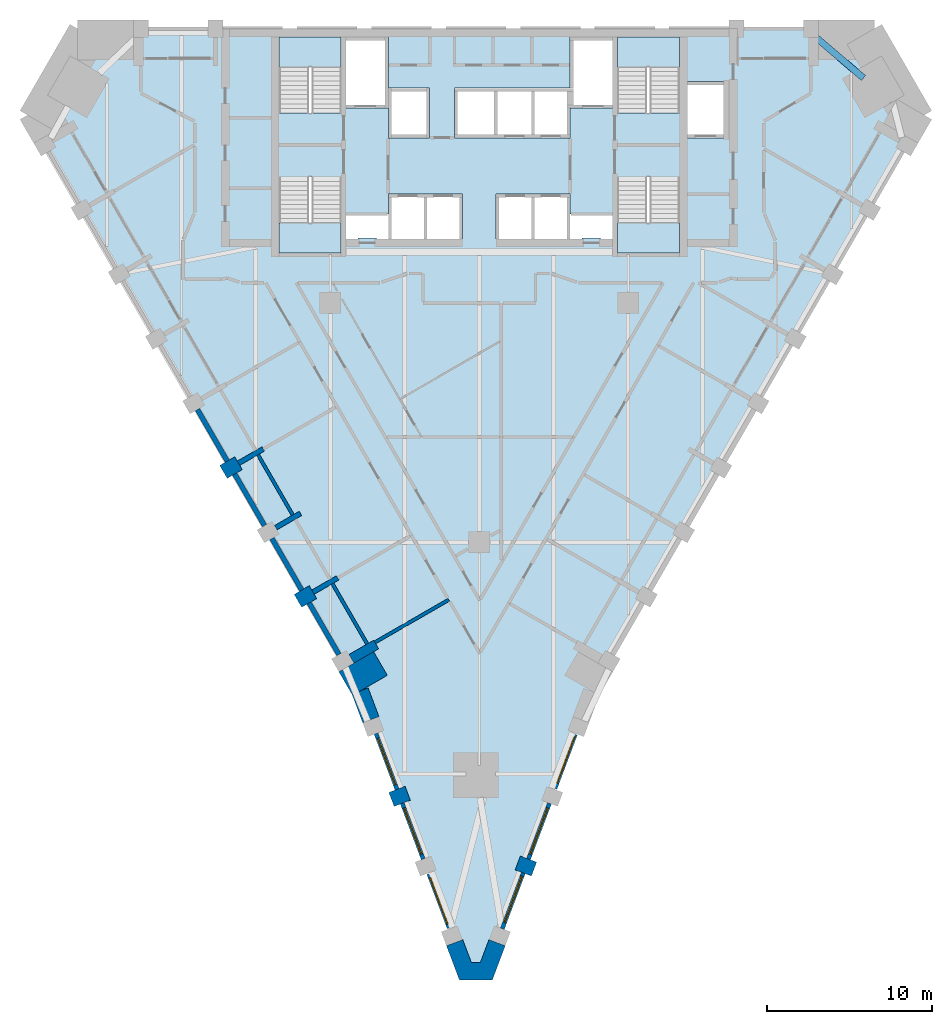
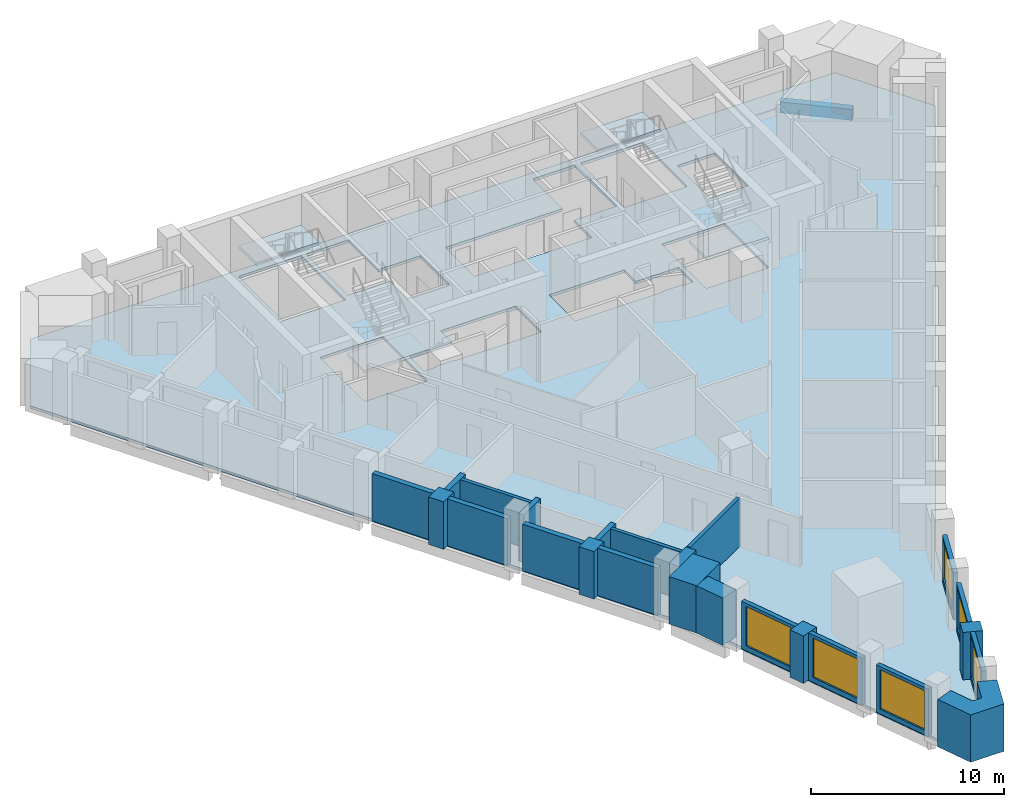
# One storey, part 2 of 10: 24 walls, 6 windows, 5 slabs, 1 beam, 6 openings, 4 elements without a shape of their own.
"""IFC4 building model written with IfcOpenShell, lengths in metres."""

from ifc_helpers import new_model, si_unit, direction, frame, frame_2d, origin, origin_2d, place, context, subcontext, project, spatial, polyline, rectangle, outline, extrude, material, layer, layer_set, material_profile, profile_set, type_object, element, fill, aggregate, save


model = new_model("IFC4")

# Units and contexts
model_context = context("Model", 3, precision=1e-05, world=origin(), true_north=direction((0.0, 1.0)))
body_context = subcontext(model_context, "Body", "Model", "MODEL_VIEW")
ifc_project = project(units=[si_unit("LENGTHUNIT", "METRE"), si_unit("AREAUNIT", "SQUARE_METRE"), si_unit("VOLUMEUNIT", "CUBIC_METRE"), si_unit("PLANEANGLEUNIT", "RADIAN"), si_unit("MASSUNIT", "GRAM", prefix="KILO")], contexts=[model_context])

# Site, building, storey
site_placement = place(None, origin())
site = spatial("IfcSite", under=ifc_project, at=site_placement, CompositionType="ELEMENT")
building_placement = place(site_placement, origin())
building = spatial("IfcBuilding", under=site, at=building_placement, Name="Calabash Gate Tower", CompositionType="ELEMENT")
storey_placement = place(building_placement, frame((0.0, 0.0, 148.5)))
storey = spatial("IfcBuildingStorey", under=building, at=storey_placement, Name="L34", CompositionType="ELEMENT", Elevation=148.5)

# Beam
ifc_material_1 = material(Name="Concrete C50/60", Category="concrete")
ifc_material_profile = material_profile(ifc_material_1, rectangle(XDim=0.39990234375, YDim=0.699951171875, at=origin_2d()))
ifc_profile_set = profile_set([ifc_material_profile], Name="Concrete C50/60")
beam_type = type_object("IfcBeamType", Name="Edge beam RC 400x700 Concrete C50/60", PredefinedType="BEAM", material=ifc_profile_set)
beam_placement = place(storey_placement, frame((23.22705078125, 16.070068359375, -0.52001953125), z_axis=(-0.760267652888, 0.649609956799, 0.0), x_axis=(-0.649609956799, -0.760267652888, 0.0)))
element("IfcBeam", 1, at=beam_placement, inside=storey, type_object=beam_type, Name="Edge beam L34 16", PredefinedType="BEAM", context=body_context, shape_type="SweptSolid", body=[
    extrude(rectangle(XDim=0.39990234375, YDim=0.699951171875, at=origin_2d()), origin(), (0.0, 0.0, 1.0), 3.814697265625),
])

# Slab
ifc_material_2 = material(Name="Concrete C40/50", Category="concrete")
ifc_layer_1 = layer(ifc_material_2, 0.169921875)
ifc_layer_set_1 = layer_set([ifc_layer_1], Name="Composite floor slab 170 Concrete C40/50")
slab_type_1 = type_object("IfcSlabType", Name="Composite floor slab 170 Concrete C40/50", PredefinedType="FLOOR", material=ifc_layer_set_1)
slab_1_placement = place(storey_placement, frame((0.0, 0.0, -0.169921875)))
element("IfcSlab", 2, at=slab_1_placement, inside=storey, type_object=slab_type_1, Name="Floor slab L34", PredefinedType="FLOOR", context=body_context, shape_type="SweptSolid", body=[
    extrude(outline(polyline([(-24.28955078125, 19.052490234375), (23.880126953125, 19.052490234375), (26.895751953125, 13.8291015625), (6.795166015625, -20.98583984375), (0.428466796875, -37.92529296875), (-0.837890625, -37.92529296875), (-7.204833984375, -20.98583984375), (-27.30517578125, 13.8291015625), (-24.28955078125, 19.052490234375)]), holes=[polyline([(-3.25, 9.052490234375), (-5.5, 9.052490234375), (-5.5, 7.8525390625), (-8.050048828125, 7.8525390625), (-8.050048828125, 6.3525390625), (-7.324951171875, 6.3525390625), (-7.324951171875, 6.402587890625), (-6.22509765625, 6.402587890625), (-6.22509765625, 6.3525390625), (-5.5, 6.3525390625), (-3.25, 6.3525390625), (-1.0, 6.3525390625), (-1.0, 9.052490234375), (-3.25, 9.052490234375)]), polyline([(5.5, 6.3525390625), (6.22509765625, 6.3525390625), (6.22509765625, 6.402587890625), (7.324951171875, 6.402587890625), (7.324951171875, 6.3525390625), (8.050048828125, 6.3525390625), (8.050048828125, 7.8525390625), (5.5, 7.8525390625), (5.5, 9.052490234375), (3.25, 9.052490234375), (1.0, 9.052490234375), (1.0, 6.3525390625), (3.25, 6.3525390625), (5.5, 6.3525390625)]), polyline([(-5.5, 12.45263671875), (-3.0, 12.45263671875), (-3.0, 15.45263671875), (-5.5, 15.45263671875), (-5.5, 18.552490234375), (-8.050048828125, 18.552490234375), (-8.050048828125, 14.252685546875), (-5.5, 14.252685546875), (-5.5, 12.45263671875)]), polyline([(-1.5, 15.45263671875), (-1.5, 12.45263671875), (1.0, 12.45263671875), (3.25, 12.45263671875), (5.5, 12.45263671875), (5.5, 14.252685546875), (8.050048828125, 14.252685546875), (8.050048828125, 18.552490234375), (5.5, 18.552490234375), (5.5, 15.45263671875), (3.25, 15.45263671875), (1.0, 15.45263671875), (-1.5, 15.45263671875)]), polyline([(14.85009765625, 15.8525390625), (12.60009765625, 15.8525390625), (12.60009765625, 12.45263671875), (14.85009765625, 12.45263671875), (14.85009765625, 15.8525390625)]), polyline([(-8.35009765625, 18.552490234375), (-12.10009765625, 18.552490234375), (-12.10009765625, 13.95263671875), (-8.35009765625, 13.95263671875), (-8.35009765625, 18.552490234375)]), polyline([(-12.10009765625, 10.1025390625), (-12.10009765625, 5.502685546875), (-8.35009765625, 5.502685546875), (-8.35009765625, 10.1025390625), (-12.10009765625, 10.1025390625)]), polyline([(8.35009765625, 13.95263671875), (12.10009765625, 13.95263671875), (12.10009765625, 18.552490234375), (8.35009765625, 18.552490234375), (8.35009765625, 13.95263671875)]), polyline([(12.10009765625, 5.502685546875), (12.10009765625, 10.1025390625), (8.35009765625, 10.1025390625), (8.35009765625, 5.502685546875), (12.10009765625, 5.502685546875)])]), origin(), (0.0, 0.0, 1.0), 0.169921875),
])

# Stair, slab
ifc_material_3 = material(Name="Concrete C40/50", Category="concrete")
stair_type = type_object("IfcStairType", Name="Exit stair 22 risers of 177.3 mm", PredefinedType="HALF_TURN_STAIR", material=ifc_material_3)
stair_1_placement = place(storey_placement, origin())
stair_1 = element("IfcStair", 3, at=stair_1_placement, inside=storey, type_object=stair_type, Name="L34 Exit stair ST1", PredefinedType="HALF_TURN_STAIR")
ifc_material_4 = material(Name="Concrete C40/50", Category="concrete")
ifc_layer_2 = layer(ifc_material_4, 0.199951171875)
ifc_layer_set_2 = layer_set([ifc_layer_2], Name="Stair landing SL200")
slab_type_2 = type_object("IfcSlabType", Name="Stair landing SL200", PredefinedType="LANDING", material=ifc_layer_set_2)
slab_2_placement = place(storey_placement, frame((0.0, 0.0, 1.75)))
slab_2 = element("IfcSlab", 4, at=slab_2_placement, type_object=slab_type_2, Name="ST1 landing 1", PredefinedType="LANDING", context=body_context, shape_type="SweptSolid", body=[
    extrude(outline(polyline([(-8.35009765625, 16.74267578125), (-8.35009765625, 18.552490234375), (-12.10009765625, 18.552490234375), (-12.10009765625, 16.74267578125), (-8.35009765625, 16.74267578125)])), origin(), (0.0, 0.0, 1.0), 0.199951171875),
])
aggregate(stair_1, [slab_2])

stair_2_placement = place(storey_placement, origin())
stair_2 = element("IfcStair", 5, at=stair_2_placement, inside=storey, type_object=stair_type, Name="L34 Exit stair ST2", PredefinedType="HALF_TURN_STAIR")
slab_3_placement = place(storey_placement, frame((0.0, 0.0, 1.75)))
slab_3 = element("IfcSlab", 6, at=slab_3_placement, type_object=slab_type_2, Name="ST2 landing 1", PredefinedType="LANDING", context=body_context, shape_type="SweptSolid", body=[
    extrude(outline(polyline([(-12.10009765625, 7.3125), (-12.10009765625, 5.502685546875), (-8.35009765625, 5.502685546875), (-8.35009765625, 7.3125), (-12.10009765625, 7.3125)])), origin(), (0.0, 0.0, 1.0), 0.199951171875),
])
aggregate(stair_2, [slab_3])

stair_3_placement = place(storey_placement, origin())
stair_3 = element("IfcStair", 7, at=stair_3_placement, inside=storey, type_object=stair_type, Name="L34 Exit stair ST3", PredefinedType="HALF_TURN_STAIR")
slab_4_placement = place(storey_placement, frame((0.0, 0.0, 1.75)))
slab_4 = element("IfcSlab", 8, at=slab_4_placement, type_object=slab_type_2, Name="ST3 landing 1", PredefinedType="LANDING", context=body_context, shape_type="SweptSolid", body=[
    extrude(outline(polyline([(12.10009765625, 16.74267578125), (12.10009765625, 18.552490234375), (8.35009765625, 18.552490234375), (8.35009765625, 16.74267578125), (12.10009765625, 16.74267578125)])), origin(), (0.0, 0.0, 1.0), 0.199951171875),
])
aggregate(stair_3, [slab_4])

stair_4_placement = place(storey_placement, origin())
stair_4 = element("IfcStair", 9, at=stair_4_placement, inside=storey, type_object=stair_type, Name="L34 Exit stair ST4", PredefinedType="HALF_TURN_STAIR")
slab_5_placement = place(storey_placement, frame((0.0, 0.0, 1.75)))
slab_5 = element("IfcSlab", 10, at=slab_5_placement, type_object=slab_type_2, Name="ST4 landing 1", PredefinedType="LANDING", context=body_context, shape_type="SweptSolid", body=[
    extrude(outline(polyline([(8.35009765625, 7.3125), (8.35009765625, 5.502685546875), (12.10009765625, 5.502685546875), (12.10009765625, 7.3125), (8.35009765625, 7.3125)])), origin(), (0.0, 0.0, 1.0), 0.199951171875),
])
aggregate(stair_4, [slab_5])

# Walls
ifc_material_5 = material(Name="Terracotta brick masonry, exposed face", Category="masonry")
ifc_layer_3 = layer(ifc_material_5, 2.425048828125)
ifc_layer_set_3 = layer_set([ifc_layer_3], Name="Brick corner mass wall 2425")
wall_type_1 = type_object("IfcWallType", Name="Brick corner mass wall 2425", PredefinedType="SOLIDWALL", material=ifc_layer_set_3)
wall_1_placement = place(storey_placement, origin())
element("IfcWall", 11, at=wall_1_placement, inside=storey, type_object=wall_type_1, Name="Brick corner pier S09 1", PredefinedType="SOLIDWALL", context=body_context, shape_type="SweptSolid", body=[
    extrude(outline(polyline([(-5.559326171875, -20.035888671875), (-6.384521484375, -18.6064453125), (-7.573974609375, -19.293212890625), (-7.5732421875, -19.294189453125), (-8.482666015625, -19.819091796875), (-8.483154296875, -19.818115234375), (-8.484619140625, -19.819091796875), (-7.659423828125, -21.248291015625), (-5.559326171875, -20.035888671875)])), origin(), (0.0, 0.0, 1.0), 3.0),
])
ifc_material_6 = material(Name="Terracotta brick masonry, exposed face", Category="masonry")
ifc_layer_4 = layer(ifc_material_6, 1.050048828125)
ifc_layer_set_4 = layer_set([ifc_layer_4], Name="Brick end wall 1050")
wall_type_2 = type_object("IfcWallType", Name="Brick end wall 1050", PredefinedType="SOLIDWALL", material=ifc_layer_set_4)
for number, where, z_axis, x_axis, name in (
    (12, (-15.459716796875, -7.738037109375, 0.0), (0.0, 0.0, 1.0), (0.865988129768, 0.500064554934, 0.0), "Brick pier S09 SW0.5"),
    (13, (-10.05029296875, -15.00732421875, 0.0), (0.0, 0.0, 1.0), (-0.866088799389, -0.499890179513, 0.0), "Brick pier S09 SW0.7"),
    (14, (-4.321533203125, -27.164794921875, 0.0), (0.0, 0.0, 1.0), (-0.936080509118, -0.351785844584, 0.0), "Brick pier S09 wedge1.1"),
    (15, (3.311767578125, -31.74658203125, 0.0), (0.0, 0.0, 1.0), (-0.936003928089, 0.351989554676, 0.0), "Brick pier S09 wedge3.1"),
):
    element("IfcWall", number, at=place(storey_placement, frame(where, z_axis=z_axis, x_axis=x_axis)), inside=storey, type_object=wall_type_2, Name=name, PredefinedType="SOLIDWALL", context=body_context, shape_type="SweptSolid", body=[
        extrude(rectangle(XDim=1.050048828125, YDim=0.89990234375, at=frame_2d((0.52490234375, 0.0))), origin(), (0.0, 0.0, 1.0), 3.0),
    ])
wall_2_placement = place(storey_placement, origin())
element("IfcWall", 16, at=wall_2_placement, inside=storey, type_object=wall_type_2, Name="Brick end wall S09 1", PredefinedType="SOLIDWALL", context=body_context, shape_type="SweptSolid", body=[
    extrude(outline(polyline([(-6.06298828125, -22.53125), (-6.71337890625, -20.80126953125), (-7.204833984375, -20.98583984375), (-7.659423828125, -21.248291015625), (-7.680908203125, -21.2109375), (-7.0458984375, -22.900634765625), (-7.045654296875, -22.900634765625), (-7.045654296875, -22.900390625), (-6.06298828125, -22.53125)])), origin(), (0.0, 0.0, 1.0), 3.0),
])
wall_3_placement = place(storey_placement, origin())
element("IfcWall", 17, at=wall_3_placement, inside=storey, type_object=wall_type_2, Name="Brick end wall S09 2", PredefinedType="SOLIDWALL", context=body_context, shape_type="SweptSolid", body=[
    extrude(outline(polyline([(-0.474365234375, -37.400390625), (-0.996826171875, -36.010498046875), (-1.979736328125, -36.380126953125), (-1.20166015625, -38.450439453125), (0.7919921875, -38.450439453125), (1.5703125, -36.380126953125), (0.58740234375, -36.010498046875), (0.06494140625, -37.400390625), (-0.474365234375, -37.400390625)])), origin(), (0.0, 0.0, 1.0), 3.0),
])
ifc_material_7 = material(Name="Terracotta brick masonry, exposed face", Category="masonry")
ifc_layer_5 = layer(ifc_material_7, 0.300048828125)
ifc_layer_set_5 = layer_set([ifc_layer_5], Name="Brick infill panel wall 300")
wall_type_3 = type_object("IfcWallType", Name="Brick infill panel wall 300", PredefinedType="SOLIDWALL", material=ifc_layer_set_5)
wall_4_placement = place(storey_placement, frame((-15.22998046875, -7.085693359375, 0.0), z_axis=(0.0, 0.0, 1.0), x_axis=(-0.499998428639, 0.866026311008, 0.0)))
element("IfcWall", 18, at=wall_4_placement, inside=storey, type_object=wall_type_3, Name="Brick panel S09 SW0.5", PredefinedType="SOLIDWALL", context=body_context, shape_type="SweptSolid", body=[
    extrude(rectangle(XDim=3.59912109375, YDim=0.300048828125, at=frame_2d((1.799560546875, 0.0))), origin(), (0.0, 0.0, 1.0), 3.0),
])
wall_5_placement = place(storey_placement, frame((-14.780029296875, -7.865234375, 0.0), z_axis=(0.0, 0.0, 1.0), x_axis=(0.500012057535, -0.866018442252, 0.0)))
element("IfcWall", 19, at=wall_5_placement, inside=storey, type_object=wall_type_3, Name="Brick panel S09 SW0.6", PredefinedType="SOLIDWALL", context=body_context, shape_type="SweptSolid", body=[
    extrude(rectangle(XDim=3.60009765625, YDim=0.300048828125, at=frame_2d((1.800048828125, 0.0))), origin(), (0.0, 0.0, 1.0), 2.9736328125),
])
wall_6_placement = place(storey_placement, frame((-10.72998046875, -14.8798828125, 0.0), z_axis=(0.0, 0.0, 1.0), x_axis=(-0.500006299954, 0.866021766474, 0.0)))
element("IfcWall", 20, at=wall_6_placement, inside=storey, type_object=wall_type_3, Name="Brick panel S09 SW0.7", PredefinedType="SOLIDWALL", context=body_context, shape_type="SweptSolid", body=[
    extrude(rectangle(XDim=3.5986328125, YDim=0.300048828125, at=frame_2d((1.79931640625, 0.0))), origin(), (0.0, 0.0, 1.0), 2.9501953125),
])
wall_7_placement = place(storey_placement, frame((-10.280029296875, -15.659423828125, 0.0), z_axis=(0.0, 0.0, 1.0), x_axis=(0.500012057535, -0.866018442252, 0.0)))
element("IfcWall", 21, at=wall_7_placement, inside=storey, type_object=wall_type_3, Name="Brick panel S09 SW0.8", PredefinedType="SOLIDWALL", context=body_context, shape_type="SweptSolid", body=[
    extrude(rectangle(XDim=3.60009765625, YDim=0.300048828125, at=frame_2d((1.800048828125, 0.0))), origin(), (0.0, 0.0, 1.0), 3.0),
])
ifc_material_8 = material(Name="Terracotta brick masonry, exposed face", Category="masonry")
ifc_layer_6 = layer(ifc_material_8, 0.300048828125)
ifc_layer_set_6 = layer_set([ifc_layer_6], Name="Brick loggia cheek wall 300")
wall_type_4 = type_object("IfcWallType", Name="Brick loggia cheek wall 300", PredefinedType="SOLIDWALL", material=ifc_layer_set_6)
wall_8_placement = place(storey_placement, frame((-14.55029296875, -7.212890625, 0.0), z_axis=(0.0, 0.0, 1.0), x_axis=(0.866074815912, 0.499914405916, 0.0)))
element("IfcWall", 22, at=wall_8_placement, inside=storey, type_object=wall_type_4, Name="Loggia cheek S09 SW0.5", PredefinedType="SOLIDWALL", context=body_context, shape_type="SweptSolid", body=[
    extrude(rectangle(XDim=1.724853515625, YDim=0.300048828125, at=frame_2d((0.8623046875, 0.0))), origin(), (0.0, 0.0, 1.0), 2.9736328125),
])
wall_9_placement = place(storey_placement, frame((-10.806396484375, -10.24755859375, 0.0), z_axis=(0.0, 0.0, 1.0), x_axis=(-0.866020469142, -0.500008546953, 0.0)))
element("IfcWall", 23, at=wall_9_placement, inside=storey, type_object=wall_type_4, Name="Loggia cheek S09 SW0.6", PredefinedType="SOLIDWALL", context=body_context, shape_type="SweptSolid", body=[
    extrude(rectangle(XDim=1.7236328125, YDim=0.300048828125, at=frame_2d((0.86181640625, 0.0))), origin(), (0.0, 0.0, 1.0), 3.0),
])
wall_10_placement = place(storey_placement, frame((-10.05029296875, -15.00732421875, 0.0), z_axis=(0.0, 0.0, 1.0), x_axis=(0.866013532718, 0.500020560727, 0.0)))
element("IfcWall", 24, at=wall_10_placement, inside=storey, type_object=wall_type_4, Name="Loggia cheek S09 SW0.7", PredefinedType="SOLIDWALL", context=body_context, shape_type="SweptSolid", body=[
    extrude(rectangle(XDim=1.72509765625, YDim=0.300048828125, at=frame_2d((0.862548828125, 0.0))), origin(), (0.0, 0.0, 1.0), 3.0),
])
wall_11_placement = place(storey_placement, frame((-7.723876953125, -19.033447265625, 0.0), z_axis=(0.0, 0.0, 1.0), x_axis=(0.865985050045, 0.500069888215, 0.0)))
element("IfcWall", 25, at=wall_11_placement, inside=storey, type_object=wall_type_4, Name="Loggia cheek S09 SW0.8", PredefinedType="SOLIDWALL", context=body_context, shape_type="SweptSolid", body=[
    extrude(rectangle(XDim=1.723388671875, YDim=0.60009765625, at=frame_2d((0.86181640625, 0.0))), origin(), (0.0, 0.0, 1.0), 3.0),
])
ifc_material_9 = material(Name="Gypsum board on steel studs, mineral wool", Category="steel")
ifc_layer_7 = layer(ifc_material_9, 0.199951171875)
ifc_layer_set_7 = layer_set([ifc_layer_7], Name="Partition 200 gypsum board EI 60")
wall_type_5 = type_object("IfcWallType", Name="Partition 200 gypsum board EI 60", PredefinedType="PARTITIONING", material=ifc_layer_set_7)
wall_12_placement = place(storey_placement, frame((-6.30615234375, -18.042236328125, 0.0), z_axis=(0.0, 0.0, 1.0), x_axis=(0.86617295725, 0.499744342768, 0.0)))
element("IfcWall", 26, at=wall_12_placement, inside=storey, type_object=wall_type_5, Name="Partition", PredefinedType="PARTITIONING", context=body_context, shape_type="SweptSolid", body=[
    extrude(rectangle(XDim=5.149658203125, YDim=0.199951171875, at=frame_2d((2.57470703125, 0.0))), origin(), (0.0, 0.0, 1.0), 3.052001953125),
])

# Wall, opening, window
ifc_material_10 = material(Name="Aluminium framed window wall with insulated spandrel", Category="aluminium")
ifc_layer_8 = layer(ifc_material_10, 0.25)
ifc_layer_set_8 = layer_set([ifc_layer_8], Name="Prow window wall 250")
wall_type_6 = type_object("IfcWallType", Name="Prow window wall 250", PredefinedType="ELEMENTEDWALL", material=ifc_layer_set_8)
wall_13_placement = place(storey_placement, frame((-6.23779296875, -23.558349609375, 0.0), z_axis=(0.0, 0.0, 1.0), x_axis=(0.351829371284, -0.936064150314, 0.0)))
wall_13 = element("IfcWall", 27, at=wall_13_placement, inside=storey, type_object=wall_type_6, Name="Prow window wall S09 wedge1.1", PredefinedType="ELEMENTEDWALL", context=body_context, shape_type="SweptSolid", body=[
    extrude(rectangle(XDim=3.60009765625, YDim=0.25, at=frame_2d((1.800048828125, 0.0))), origin(), (0.0, 0.0, 1.0), 3.0),
])
opening_1_placement = place(wall_13_placement, frame((0.300048828125, 0.0, 0.300048828125)))
opening_1 = element("IfcOpeningElement", 28, at=opening_1_placement, cuts=wall_13, Name="Opening WP2", PredefinedType="OPENING", context=body_context, shape_type="SweptSolid", body=[
    extrude(rectangle(XDim=3.0, YDim=2.5, at=frame_2d((1.5, 1.25))), frame((0.0, 0.135009765625, 0.0), z_axis=(0.0, -1.0, 0.0), x_axis=(1.0, 0.0, 0.0)), (0.0, 0.0, 1.0), 0.27001953125),
])
ifc_material_11 = material(Name="Anodised aluminium frame, bronze finish, impact-rated laminated clear glazing", Category="aluminium")
window_type_1 = type_object("IfcWindowType", Name="Window WP2 3000x2500", PartitioningType="DOUBLE_PANEL_VERTICAL", PredefinedType="WINDOW", material=ifc_material_11)
window_1_placement = place(opening_1_placement, origin())
window_1 = element("IfcWindow", 29, at=window_1_placement, inside=storey, type_object=window_type_1, Name="Prow window WP2 S09 wedge1.1", OverallHeight=2.5, OverallWidth=3.0, PartitioningType="SINGLE_PANEL", PredefinedType="WINDOW", context=body_context, shape_type="SweptSolid", body=[
    extrude(rectangle(XDim=3.0, YDim=2.5, at=frame_2d((1.5, 1.25))), frame((0.0, 0.030029296875, 0.0), z_axis=(0.0, -1.0, 0.0), x_axis=(1.0, 0.0, 0.0)), (0.0, 0.0, 1.0), 0.06005859375),
])
fill(opening_1, window_1)

wall_14_placement = place(storey_placement, frame((-4.654541015625, -27.770751953125, 0.0), z_axis=(0.0, 0.0, 1.0), x_axis=(0.351769947693, -0.936086483131, 0.0)))
wall_14 = element("IfcWall", 30, at=wall_14_placement, inside=storey, type_object=wall_type_6, Name="Prow window wall S09 wedge1.2", PredefinedType="ELEMENTEDWALL", context=body_context, shape_type="SweptSolid", body=[
    extrude(rectangle(XDim=3.599853515625, YDim=0.25, at=frame_2d((1.7998046875, 0.0))), origin(), (0.0, 0.0, 1.0), 3.0),
])
opening_2_placement = place(wall_14_placement, frame((0.300048828125, 0.0, 0.300048828125)))
opening_2 = element("IfcOpeningElement", 31, at=opening_2_placement, cuts=wall_14, Name="Opening WP2", PredefinedType="OPENING", context=body_context, shape_type="SweptSolid", body=[
    extrude(rectangle(XDim=3.0, YDim=2.5, at=frame_2d((1.5, 1.25))), frame((0.0, 0.135009765625, 0.0), z_axis=(0.0, -1.0, 0.0), x_axis=(1.0, 0.0, 0.0)), (0.0, 0.0, 1.0), 0.27001953125),
])
window_2_placement = place(opening_2_placement, origin())
window_2 = element("IfcWindow", 32, at=window_2_placement, inside=storey, type_object=window_type_1, Name="Prow window WP2 S09 wedge1.2", OverallHeight=2.5, OverallWidth=3.0, PartitioningType="SINGLE_PANEL", PredefinedType="WINDOW", context=body_context, shape_type="SweptSolid", body=[
    extrude(rectangle(XDim=3.0, YDim=2.5, at=frame_2d((1.5, 1.25))), frame((0.0, 0.030029296875, 0.0), z_axis=(0.0, -1.0, 0.0), x_axis=(1.0, 0.0, 0.0)), (0.0, 0.0, 1.0), 0.06005859375),
])
fill(opening_2, window_2)

wall_15_placement = place(storey_placement, frame((-3.053955078125, -32.02978515625, 0.0), z_axis=(0.0, 0.0, 1.0), x_axis=(0.351826590602, -0.936065195457, 0.0)))
wall_15 = element("IfcWall", 33, at=wall_15_placement, inside=storey, type_object=wall_type_6, Name="Prow window wall S09 wedge1.3", PredefinedType="ELEMENTEDWALL", context=body_context, shape_type="SweptSolid", body=[
    extrude(rectangle(XDim=3.500244140625, YDim=0.25, at=frame_2d((1.75, 0.0))), origin(), (0.0, 0.0, 1.0), 3.0),
])
opening_3_placement = place(wall_15_placement, frame((0.25, 0.0, 0.300048828125)))
opening_3 = element("IfcOpeningElement", 34, at=opening_3_placement, cuts=wall_15, Name="Opening WP2", PredefinedType="OPENING", context=body_context, shape_type="SweptSolid", body=[
    extrude(rectangle(XDim=3.0, YDim=2.5, at=frame_2d((1.5, 1.25))), frame((0.0, 0.135009765625, 0.0), z_axis=(0.0, -1.0, 0.0), x_axis=(1.0, 0.0, 0.0)), (0.0, 0.0, 1.0), 0.27001953125),
])
window_3_placement = place(opening_3_placement, origin())
window_3 = element("IfcWindow", 35, at=window_3_placement, inside=storey, type_object=window_type_1, Name="Prow window WP2 S09 wedge1.3", OverallHeight=2.5, OverallWidth=3.0, PartitioningType="SINGLE_PANEL", PredefinedType="WINDOW", context=body_context, shape_type="SweptSolid", body=[
    extrude(rectangle(XDim=3.0, YDim=2.5, at=frame_2d((1.5, 1.25))), frame((0.0, 0.030029296875, 0.0), z_axis=(0.0, -1.0, 0.0), x_axis=(1.0, 0.0, 0.0)), (0.0, 0.0, 1.0), 0.06005859375),
])
fill(opening_3, window_3)

wall_16_placement = place(storey_placement, frame((1.3955078125, -35.352783203125, 0.0), z_axis=(0.0, 0.0, 1.0), x_axis=(0.351829371284, 0.936064150314, 0.0)))
wall_16 = element("IfcWall", 36, at=wall_16_placement, inside=storey, type_object=wall_type_6, Name="Prow window wall S09 wedge3.1", PredefinedType="ELEMENTEDWALL", context=body_context, shape_type="SweptSolid", body=[
    extrude(rectangle(XDim=3.60009765625, YDim=0.25, at=frame_2d((1.800048828125, 0.0))), origin(), (0.0, 0.0, 1.0), 3.0),
])
opening_4_placement = place(wall_16_placement, frame((0.39990234375, 0.0, 0.300048828125)))
opening_4 = element("IfcOpeningElement", 37, at=opening_4_placement, cuts=wall_16, Name="Opening WP2", PredefinedType="OPENING", context=body_context, shape_type="SweptSolid", body=[
    extrude(rectangle(XDim=3.0, YDim=2.5, at=frame_2d((1.5, 1.25))), frame((0.0, 0.135009765625, 0.0), z_axis=(0.0, -1.0, 0.0), x_axis=(1.0, 0.0, 0.0)), (0.0, 0.0, 1.0), 0.27001953125),
])
window_4_placement = place(opening_4_placement, origin())
window_4 = element("IfcWindow", 38, at=window_4_placement, inside=storey, type_object=window_type_1, Name="Prow window WP2 S09 wedge3.1", OverallHeight=2.5, OverallWidth=3.0, PartitioningType="SINGLE_PANEL", PredefinedType="WINDOW", context=body_context, shape_type="SweptSolid", body=[
    extrude(rectangle(XDim=3.0, YDim=2.5, at=frame_2d((1.5, 1.25))), frame((0.0, 0.030029296875, 0.0), z_axis=(0.0, -1.0, 0.0), x_axis=(1.0, 0.0, 0.0)), (0.0, 0.0, 1.0), 0.06005859375),
])
fill(opening_4, window_4)

wall_17_placement = place(storey_placement, frame((2.978515625, -31.140625, 0.0), z_axis=(0.0, 0.0, 1.0), x_axis=(0.351829371284, 0.936064150314, 0.0)))
wall_17 = element("IfcWall", 39, at=wall_17_placement, inside=storey, type_object=wall_type_6, Name="Prow window wall S09 wedge3.2", PredefinedType="ELEMENTEDWALL", context=body_context, shape_type="SweptSolid", body=[
    extrude(rectangle(XDim=3.60009765625, YDim=0.25, at=frame_2d((1.800048828125, 0.0))), origin(), (0.0, 0.0, 1.0), 3.0),
])
opening_5_placement = place(wall_17_placement, frame((0.300048828125, 0.0, 0.300048828125)))
opening_5 = element("IfcOpeningElement", 40, at=opening_5_placement, cuts=wall_17, Name="Opening WP2", PredefinedType="OPENING", context=body_context, shape_type="SweptSolid", body=[
    extrude(rectangle(XDim=3.0, YDim=2.5, at=frame_2d((1.5, 1.25))), frame((0.0, 0.135009765625, 0.0), z_axis=(0.0, -1.0, 0.0), x_axis=(1.0, 0.0, 0.0)), (0.0, 0.0, 1.0), 0.27001953125),
])
window_5_placement = place(opening_5_placement, origin())
window_5 = element("IfcWindow", 41, at=window_5_placement, inside=storey, type_object=window_type_1, Name="Prow window WP2 S09 wedge3.2", OverallHeight=2.5, OverallWidth=3.0, PartitioningType="SINGLE_PANEL", PredefinedType="WINDOW", context=body_context, shape_type="SweptSolid", body=[
    extrude(rectangle(XDim=3.0, YDim=2.5, at=frame_2d((1.5, 1.25))), frame((0.0, 0.030029296875, 0.0), z_axis=(0.0, -1.0, 0.0), x_axis=(1.0, 0.0, 0.0)), (0.0, 0.0, 1.0), 0.06005859375),
])
fill(opening_5, window_5)

wall_18_placement = place(storey_placement, frame((4.579345703125, -26.88134765625, 0.0), z_axis=(0.0, 0.0, 1.0), x_axis=(0.351849563443, 0.936056560634, 0.0)))
wall_18 = element("IfcWall", 42, at=wall_18_placement, inside=storey, type_object=wall_type_6, Name="Prow window wall S09 wedge3.3", PredefinedType="ELEMENTEDWALL", context=body_context, shape_type="SweptSolid", body=[
    extrude(rectangle(XDim=3.5, YDim=0.25, at=frame_2d((1.75, 0.0))), origin(), (0.0, 0.0, 1.0), 2.9501953125),
])
opening_6_placement = place(wall_18_placement, frame((0.35009765625, 0.0, 0.300048828125)))
opening_6 = element("IfcOpeningElement", 43, at=opening_6_placement, cuts=wall_18, Name="Opening WP2L-2450", PredefinedType="OPENING", context=body_context, shape_type="SweptSolid", body=[
    extrude(rectangle(XDim=3.0, YDim=2.449951171875, at=frame_2d((1.5, 1.22509765625))), frame((0.0, 0.135009765625, 0.0), z_axis=(0.0, -1.0, 0.0), x_axis=(1.0, 0.0, 0.0)), (0.0, 0.0, 1.0), 0.27001953125),
])
ifc_material_12 = material(Name="Anodised aluminium frame, bronze finish, impact-rated laminated clear glazing", Category="aluminium")
window_type_2 = type_object("IfcWindowType", Name="Window WP2L 3000x2450", PartitioningType="DOUBLE_PANEL_VERTICAL", PredefinedType="WINDOW", material=ifc_material_12)
window_6_placement = place(opening_6_placement, origin())
window_6 = element("IfcWindow", 44, at=window_6_placement, inside=storey, type_object=window_type_2, Name="Prow window WP2L S09 wedge3.3", OverallHeight=2.449951171875, OverallWidth=3.0, PartitioningType="SINGLE_PANEL", PredefinedType="WINDOW", context=body_context, shape_type="SweptSolid", body=[
    extrude(rectangle(XDim=3.0, YDim=2.449951171875, at=frame_2d((1.5, 1.22509765625))), frame((0.0, 0.030029296875, 0.0), z_axis=(0.0, -1.0, 0.0), x_axis=(1.0, 0.0, 0.0)), (0.0, 0.0, 1.0), 0.06005859375),
])
fill(opening_6, window_6)

# Walls
ifc_material_13 = material(Name="Aluminium framed window wall with insulated spandrel", Category="aluminium")
ifc_layer_9 = layer(ifc_material_13, 0.199951171875)
ifc_layer_set_9 = layer_set([ifc_layer_9], Name="Window wall 200")
wall_type_7 = type_object("IfcWallType", Name="Window wall 200", PredefinedType="ELEMENTEDWALL", material=ifc_layer_set_9)
wall_19_placement = place(storey_placement, frame((-13.37109375, -6.705322265625, 0.0), z_axis=(0.0, 0.0, 1.0), x_axis=(0.499958946799, -0.866049104564, 0.0)))
element("IfcWall", 45, at=wall_19_placement, inside=storey, type_object=wall_type_7, Name="Window wall S09 SW0.6", PredefinedType="ELEMENTEDWALL", context=body_context, shape_type="SweptSolid", body=[
    extrude(rectangle(XDim=4.199951171875, YDim=0.199951171875, at=frame_2d((2.10009765625, 0.0))), origin(), (0.0, 0.0, 1.0), 2.9736328125),
])
wall_20_placement = place(storey_placement, frame((-8.87109375, -14.49951171875, 0.0), z_axis=(0.0, 0.0, 1.0), x_axis=(0.499958946799, -0.866049104564, 0.0)))
element("IfcWall", 46, at=wall_20_placement, inside=storey, type_object=wall_type_7, Name="Window wall S09 SW0.8", PredefinedType="ELEMENTEDWALL", context=body_context, shape_type="SweptSolid", body=[
    extrude(rectangle(XDim=4.199951171875, YDim=0.199951171875, at=frame_2d((2.10009765625, 0.0))), origin(), (0.0, 0.0, 1.0), 3.0),
])

save(model, "model.ifc")
